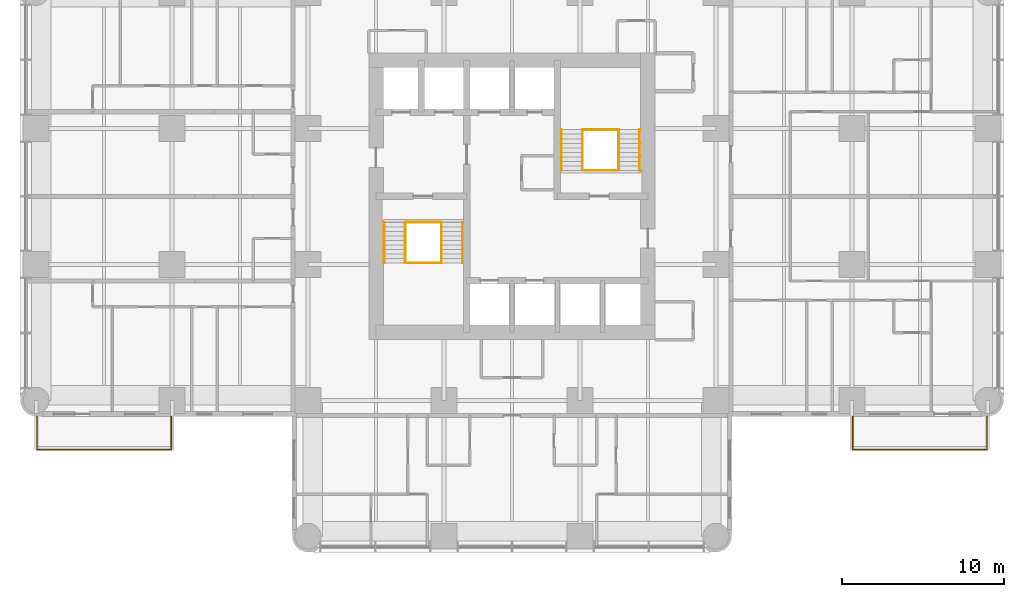
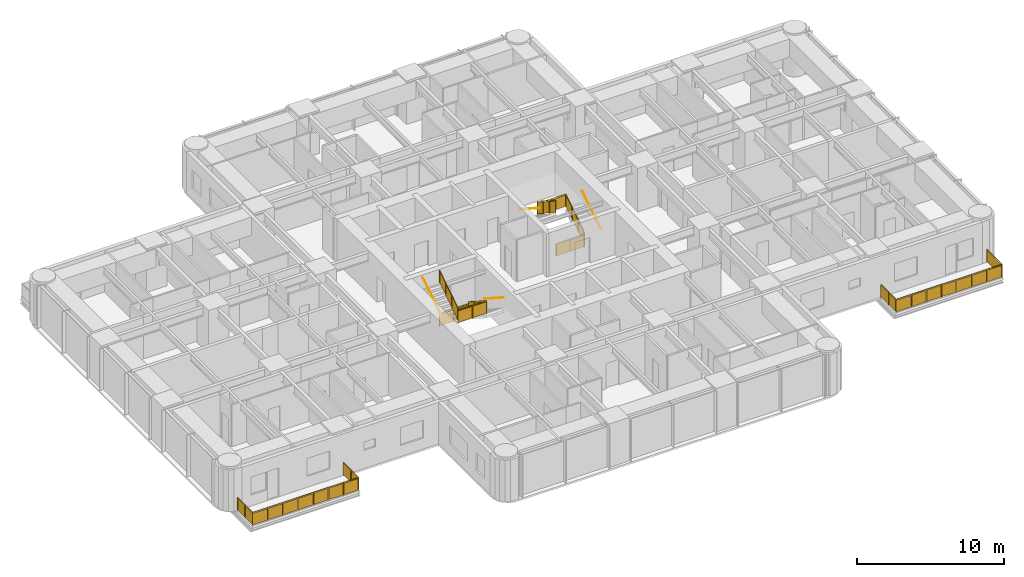
# One storey, part 13 of 14: 14 railings.
"""IFC4 building model written with IfcOpenShell, lengths in metres."""

from ifc_helpers import new_model, si_unit, direction, frame, origin, origin_2d, place, context, subcontext, project, spatial, polyline, circle, outline, extrude, material, constituent, constituent_set, type_object, element, save


model = new_model("IFC4")

# Units and contexts
model_context = context("Model", 3, precision=1e-05, world=origin(), true_north=direction((0.0, 1.0)))
body_context = subcontext(model_context, "Body", "Model", "MODEL_VIEW")
ifc_project = project(units=[si_unit("LENGTHUNIT", "METRE"), si_unit("AREAUNIT", "SQUARE_METRE"), si_unit("VOLUMEUNIT", "CUBIC_METRE"), si_unit("PLANEANGLEUNIT", "RADIAN"), si_unit("MASSUNIT", "GRAM", prefix="KILO")], contexts=[model_context])

# Site, building, storey
site_placement = place(None, origin())
site = spatial("IfcSite", under=ifc_project, at=site_placement, CompositionType="ELEMENT")
building_placement = place(site_placement, origin())
building = spatial("IfcBuilding", under=site, at=building_placement, Name="Torre Alcanfor", CompositionType="ELEMENT")
storey_placement = place(building_placement, frame((0.0, 0.0, 137.699951171875)))
storey = spatial("IfcBuildingStorey", under=building, at=storey_placement, Name="L35", CompositionType="ELEMENT", Elevation=137.699951171875)

# Railings
ifc_material_1 = material(Name="Laminated safety glass", Category="glass")
ifc_constituent_1 = constituent(ifc_material_1, Name="Infill")
ifc_material_2 = material(Name="Stainless steel ASTM A554 Grade MT 316L tube", Category="steel")
ifc_constituent_2 = constituent(ifc_material_2, Name="Posts and rail")
ifc_constituent_set = constituent_set(constituents=[ifc_constituent_1, ifc_constituent_2], Name="Balcony guard glass 1100")
railing_type_1 = type_object("IfcRailingType", Name="Balcony guard glass 1100", PredefinedType="BALUSTRADE", material=ifc_constituent_set)
railing_1_placement = place(storey_placement, frame((50.449951171875, 15.800048828125, 0.0)))
element("IfcRailing", 1, at=railing_1_placement, inside=storey, type_object=railing_type_1, Name="Balcony guard L35-E2", PredefinedType="BALUSTRADE", context=body_context, shape_type="SweptSolid", body=[
    extrude(circle(Radius=0.02392578125, at=origin_2d()), frame((0.0, 0.0, 1.076171875), z_axis=(0.0, -1.0, 0.0), x_axis=(1.0, 0.0, 0.0)), (0.0, 0.0, 1.0), 2.050048828125),
    extrude(circle(Radius=0.02392578125, at=origin_2d()), frame((0.0, -2.050048828125, 1.076171875), z_axis=(1.0, 0.0, 0.0), x_axis=(0.0, 1.0, 0.0)), (0.0, 0.0, 1.0), 8.300048828125),
    extrude(circle(Radius=0.02392578125, at=origin_2d()), frame((8.300048828125, -2.050048828125, 1.076171875), z_axis=(0.0, 1.0, 0.0), x_axis=(-1.0, 0.0, 0.0)), (0.0, 0.0, 1.0), 2.050048828125),
    extrude(circle(Radius=0.02099609375, at=origin_2d()), origin(), (0.0, 0.0, 1.0), 1.052001953125),
    extrude(circle(Radius=0.02099609375, at=origin_2d()), frame((0.0, -1.02490234375, 0.0)), (0.0, 0.0, 1.0), 1.052001953125),
    extrude(circle(Radius=0.02099609375, at=origin_2d()), frame((0.0, -2.050048828125, 0.0)), (0.0, 0.0, 1.0), 1.052001953125),
    extrude(circle(Radius=0.02099609375, at=origin_2d()), frame((1.185791015625, -2.050048828125, 0.0)), (0.0, 0.0, 1.0), 1.052001953125),
    extrude(circle(Radius=0.02099609375, at=origin_2d()), frame((2.371337890625, -2.050048828125, 0.0)), (0.0, 0.0, 1.0), 1.052001953125),
    extrude(circle(Radius=0.02099609375, at=origin_2d()), frame((3.55712890625, -2.050048828125, 0.0)), (0.0, 0.0, 1.0), 1.052001953125),
    extrude(circle(Radius=0.02099609375, at=origin_2d()), frame((4.742919921875, -2.050048828125, 0.0)), (0.0, 0.0, 1.0), 1.052001953125),
    extrude(circle(Radius=0.02099609375, at=origin_2d()), frame((5.9287109375, -2.050048828125, 0.0)), (0.0, 0.0, 1.0), 1.052001953125),
    extrude(circle(Radius=0.02099609375, at=origin_2d()), frame((7.1142578125, -2.050048828125, 0.0)), (0.0, 0.0, 1.0), 1.052001953125),
    extrude(circle(Radius=0.02099609375, at=origin_2d()), frame((8.300048828125, -2.050048828125, 0.0)), (0.0, 0.0, 1.0), 1.052001953125),
    extrude(circle(Radius=0.02099609375, at=origin_2d()), frame((8.300048828125, -1.02490234375, 0.0)), (0.0, 0.0, 1.0), 1.052001953125),
    extrude(circle(Radius=0.02099609375, at=origin_2d()), frame((8.300048828125, 0.0, 0.0)), (0.0, 0.0, 1.0), 1.052001953125),
    extrude(outline(polyline([(0.041015625, 0.050048828125), (0.984130859375, 0.050048828125), (0.984130859375, 1.001953125), (0.041015625, 1.001953125), (0.041015625, 0.050048828125)])), frame((0.005859375, 0.0, 0.0), z_axis=(-1.0, 0.0, 0.0), x_axis=(0.0, -1.0, 0.0)), (0.0, 0.0, 1.0), 0.011962890625),
    extrude(outline(polyline([(1.06591796875, 0.050048828125), (2.009033203125, 0.050048828125), (2.009033203125, 1.001953125), (1.06591796875, 1.001953125), (1.06591796875, 0.050048828125)])), frame((0.005859375, 0.0, 0.0), z_axis=(-1.0, 0.0, 0.0), x_axis=(0.0, -1.0, 0.0)), (0.0, 0.0, 1.0), 0.011962890625),
    extrude(outline(polyline([(0.041015625, 0.050048828125), (1.144775390625, 0.050048828125), (1.144775390625, 1.001953125), (0.041015625, 1.001953125), (0.041015625, 0.050048828125)])), frame((0.0, -2.0439453125, 0.0), z_axis=(0.0, -1.0, 0.0), x_axis=(1.0, 0.0, 0.0)), (0.0, 0.0, 1.0), 0.011962890625),
    extrude(outline(polyline([(1.226806640625, 0.050048828125), (2.330322265625, 0.050048828125), (2.330322265625, 1.001953125), (1.226806640625, 1.001953125), (1.226806640625, 0.050048828125)])), frame((0.0, -2.0439453125, 0.0), z_axis=(0.0, -1.0, 0.0), x_axis=(1.0, 0.0, 0.0)), (0.0, 0.0, 1.0), 0.011962890625),
    extrude(outline(polyline([(2.412353515625, 0.050048828125), (3.51611328125, 0.050048828125), (3.51611328125, 1.001953125), (2.412353515625, 1.001953125), (2.412353515625, 0.050048828125)])), frame((0.0, -2.0439453125, 0.0), z_axis=(0.0, -1.0, 0.0), x_axis=(1.0, 0.0, 0.0)), (0.0, 0.0, 1.0), 0.011962890625),
    extrude(outline(polyline([(3.59814453125, 0.050048828125), (4.701904296875, 0.050048828125), (4.701904296875, 1.001953125), (3.59814453125, 1.001953125), (3.59814453125, 0.050048828125)])), frame((0.0, -2.0439453125, 0.0), z_axis=(0.0, -1.0, 0.0), x_axis=(1.0, 0.0, 0.0)), (0.0, 0.0, 1.0), 0.011962890625),
    extrude(outline(polyline([(4.783935546875, 0.050048828125), (5.8876953125, 0.050048828125), (5.8876953125, 1.001953125), (4.783935546875, 1.001953125), (4.783935546875, 0.050048828125)])), frame((0.0, -2.0439453125, 0.0), z_axis=(0.0, -1.0, 0.0), x_axis=(1.0, 0.0, 0.0)), (0.0, 0.0, 1.0), 0.011962890625),
    extrude(outline(polyline([(5.9697265625, 0.050048828125), (7.0732421875, 0.050048828125), (7.0732421875, 1.001953125), (5.9697265625, 1.001953125), (5.9697265625, 0.050048828125)])), frame((0.0, -2.0439453125, 0.0), z_axis=(0.0, -1.0, 0.0), x_axis=(1.0, 0.0, 0.0)), (0.0, 0.0, 1.0), 0.011962890625),
    extrude(outline(polyline([(7.1552734375, 0.050048828125), (8.259033203125, 0.050048828125), (8.259033203125, 1.001953125), (7.1552734375, 1.001953125), (7.1552734375, 0.050048828125)])), frame((0.0, -2.0439453125, 0.0), z_axis=(0.0, -1.0, 0.0), x_axis=(1.0, 0.0, 0.0)), (0.0, 0.0, 1.0), 0.011962890625),
    extrude(outline(polyline([(0.041015625, 0.050048828125), (0.984130859375, 0.050048828125), (0.984130859375, 1.001953125), (0.041015625, 1.001953125), (0.041015625, 0.050048828125)])), frame((8.2939453125, -2.050048828125, 0.0), z_axis=(1.0, 0.0, 0.0), x_axis=(0.0, 1.0, 0.0)), (0.0, 0.0, 1.0), 0.011962890625),
    extrude(outline(polyline([(1.06591796875, 0.050048828125), (2.009033203125, 0.050048828125), (2.009033203125, 1.001953125), (1.06591796875, 1.001953125), (1.06591796875, 0.050048828125)])), frame((8.2939453125, -2.050048828125, 0.0), z_axis=(1.0, 0.0, 0.0), x_axis=(0.0, 1.0, 0.0)), (0.0, 0.0, 1.0), 0.011962890625),
])
railing_2_placement = place(storey_placement, frame((8.35009765625, 15.800048828125, 0.0)))
element("IfcRailing", 2, at=railing_2_placement, inside=storey, type_object=railing_type_1, Name="Balcony guard L35-W1", PredefinedType="BALUSTRADE", context=body_context, shape_type="SweptSolid", body=[
    extrude(circle(Radius=0.02392578125, at=origin_2d()), frame((0.0, 0.0, 1.076171875), z_axis=(0.0, -1.0, 0.0), x_axis=(1.0, 0.0, 0.0)), (0.0, 0.0, 1.0), 2.050048828125),
    extrude(circle(Radius=0.02392578125, at=origin_2d()), frame((0.0, -2.050048828125, 1.076171875), z_axis=(-1.0, 0.0, 0.0), x_axis=(0.0, -1.0, 0.0)), (0.0, 0.0, 1.0), 8.300048828125),
    extrude(circle(Radius=0.02392578125, at=origin_2d()), frame((-8.300048828125, -2.050048828125, 1.076171875), z_axis=(0.0, 1.0, 0.0), x_axis=(-1.0, 0.0, 0.0)), (0.0, 0.0, 1.0), 2.050048828125),
    extrude(circle(Radius=0.02099609375, at=origin_2d()), origin(), (0.0, 0.0, 1.0), 1.052001953125),
    extrude(circle(Radius=0.02099609375, at=origin_2d()), frame((0.0, -1.02490234375, 0.0)), (0.0, 0.0, 1.0), 1.052001953125),
    extrude(circle(Radius=0.02099609375, at=origin_2d()), frame((0.0, -2.050048828125, 0.0)), (0.0, 0.0, 1.0), 1.052001953125),
    extrude(circle(Radius=0.02099609375, at=origin_2d()), frame((-1.185791015625, -2.050048828125, 0.0)), (0.0, 0.0, 1.0), 1.052001953125),
    extrude(circle(Radius=0.02099609375, at=origin_2d()), frame((-2.371337890625, -2.050048828125, 0.0)), (0.0, 0.0, 1.0), 1.052001953125),
    extrude(circle(Radius=0.02099609375, at=origin_2d()), frame((-3.55712890625, -2.050048828125, 0.0)), (0.0, 0.0, 1.0), 1.052001953125),
    extrude(circle(Radius=0.02099609375, at=origin_2d()), frame((-4.742919921875, -2.050048828125, 0.0)), (0.0, 0.0, 1.0), 1.052001953125),
    extrude(circle(Radius=0.02099609375, at=origin_2d()), frame((-5.9287109375, -2.050048828125, 0.0)), (0.0, 0.0, 1.0), 1.052001953125),
    extrude(circle(Radius=0.02099609375, at=origin_2d()), frame((-7.1142578125, -2.050048828125, 0.0)), (0.0, 0.0, 1.0), 1.052001953125),
    extrude(circle(Radius=0.02099609375, at=origin_2d()), frame((-8.300048828125, -2.050048828125, 0.0)), (0.0, 0.0, 1.0), 1.052001953125),
    extrude(circle(Radius=0.02099609375, at=origin_2d()), frame((-8.300048828125, -1.02490234375, 0.0)), (0.0, 0.0, 1.0), 1.052001953125),
    extrude(circle(Radius=0.02099609375, at=origin_2d()), frame((-8.300048828125, 0.0, 0.0)), (0.0, 0.0, 1.0), 1.052001953125),
    extrude(outline(polyline([(0.041015625, 0.050048828125), (0.984130859375, 0.050048828125), (0.984130859375, 1.001953125), (0.041015625, 1.001953125), (0.041015625, 0.050048828125)])), frame((0.005859375, 0.0, 0.0), z_axis=(-1.0, 0.0, 0.0), x_axis=(0.0, -1.0, 0.0)), (0.0, 0.0, 1.0), 0.011962890625),
    extrude(outline(polyline([(1.06591796875, 0.050048828125), (2.009033203125, 0.050048828125), (2.009033203125, 1.001953125), (1.06591796875, 1.001953125), (1.06591796875, 0.050048828125)])), frame((0.005859375, 0.0, 0.0), z_axis=(-1.0, 0.0, 0.0), x_axis=(0.0, -1.0, 0.0)), (0.0, 0.0, 1.0), 0.011962890625),
    extrude(outline(polyline([(0.041015625, 0.050048828125), (1.144775390625, 0.050048828125), (1.144775390625, 1.001953125), (0.041015625, 1.001953125), (0.041015625, 0.050048828125)])), frame((0.0, -2.05615234375, 0.0), z_axis=(0.0, 1.0, 0.0), x_axis=(-1.0, 0.0, 0.0)), (0.0, 0.0, 1.0), 0.011962890625),
    extrude(outline(polyline([(1.226806640625, 0.050048828125), (2.330322265625, 0.050048828125), (2.330322265625, 1.001953125), (1.226806640625, 1.001953125), (1.226806640625, 0.050048828125)])), frame((0.0, -2.05615234375, 0.0), z_axis=(0.0, 1.0, 0.0), x_axis=(-1.0, 0.0, 0.0)), (0.0, 0.0, 1.0), 0.011962890625),
    extrude(outline(polyline([(2.412353515625, 0.050048828125), (3.51611328125, 0.050048828125), (3.51611328125, 1.001953125), (2.412353515625, 1.001953125), (2.412353515625, 0.050048828125)])), frame((0.0, -2.05615234375, 0.0), z_axis=(0.0, 1.0, 0.0), x_axis=(-1.0, 0.0, 0.0)), (0.0, 0.0, 1.0), 0.011962890625),
    extrude(outline(polyline([(3.59814453125, 0.050048828125), (4.701904296875, 0.050048828125), (4.701904296875, 1.001953125), (3.59814453125, 1.001953125), (3.59814453125, 0.050048828125)])), frame((0.0, -2.05615234375, 0.0), z_axis=(0.0, 1.0, 0.0), x_axis=(-1.0, 0.0, 0.0)), (0.0, 0.0, 1.0), 0.011962890625),
    extrude(outline(polyline([(4.783935546875, 0.050048828125), (5.8876953125, 0.050048828125), (5.8876953125, 1.001953125), (4.783935546875, 1.001953125), (4.783935546875, 0.050048828125)])), frame((0.0, -2.05615234375, 0.0), z_axis=(0.0, 1.0, 0.0), x_axis=(-1.0, 0.0, 0.0)), (0.0, 0.0, 1.0), 0.011962890625),
    extrude(outline(polyline([(5.9697265625, 0.050048828125), (7.0732421875, 0.050048828125), (7.0732421875, 1.001953125), (5.9697265625, 1.001953125), (5.9697265625, 0.050048828125)])), frame((0.0, -2.05615234375, 0.0), z_axis=(0.0, 1.0, 0.0), x_axis=(-1.0, 0.0, 0.0)), (0.0, 0.0, 1.0), 0.011962890625),
    extrude(outline(polyline([(7.1552734375, 0.050048828125), (8.259033203125, 0.050048828125), (8.259033203125, 1.001953125), (7.1552734375, 1.001953125), (7.1552734375, 0.050048828125)])), frame((0.0, -2.05615234375, 0.0), z_axis=(0.0, 1.0, 0.0), x_axis=(-1.0, 0.0, 0.0)), (0.0, 0.0, 1.0), 0.011962890625),
    extrude(outline(polyline([(0.041015625, 0.050048828125), (0.984130859375, 0.050048828125), (0.984130859375, 1.001953125), (0.041015625, 1.001953125), (0.041015625, 0.050048828125)])), frame((-8.30615234375, -2.050048828125, 0.0), z_axis=(1.0, 0.0, 0.0), x_axis=(0.0, 1.0, 0.0)), (0.0, 0.0, 1.0), 0.011962890625),
    extrude(outline(polyline([(1.06591796875, 0.050048828125), (2.009033203125, 0.050048828125), (2.009033203125, 1.001953125), (1.06591796875, 1.001953125), (1.06591796875, 0.050048828125)])), frame((-8.30615234375, -2.050048828125, 0.0), z_axis=(1.0, 0.0, 0.0), x_axis=(0.0, 1.0, 0.0)), (0.0, 0.0, 1.0), 0.011962890625),
])
ifc_material_3 = material(Name="Steel ASTM A500 Grade C hollow sections", Category="steel")
railing_type_2 = type_object("IfcRailingType", Name="Stair guard and handrail 1100", PredefinedType="GUARDRAIL", material=ifc_material_3)
railing_3_placement = place(storey_placement, frame((25.050048828125, 27.800048828125, 0.179931640625)))
element("IfcRailing", 3, at=railing_3_placement, inside=storey, type_object=railing_type_2, Name="Stair guard S1 L35 flight 1", PredefinedType="GUARDRAIL", context=body_context, shape_type="SweptSolid", body=[
    extrude(circle(Radius=0.02392578125, at=origin_2d()), frame((0.0, 0.0, 1.076171875), z_axis=(0.0, -0.841162588446, 0.540782303519), x_axis=(1.0, 0.0, 0.0)), (0.0, 0.0, 1.0), 2.995849609375),
    extrude(circle(Radius=0.02099609375, at=origin_2d()), origin(), (0.0, 0.0, 1.0), 1.052001953125),
    extrude(circle(Radius=0.02099609375, at=origin_2d()), frame((0.0, -0.840087890625, 0.5400390625)), (0.0, 0.0, 1.0), 1.052001953125),
    extrude(circle(Radius=0.02099609375, at=origin_2d()), frame((0.0, -1.679931640625, 1.080078125)), (0.0, 0.0, 1.0), 1.052001953125),
    extrude(circle(Radius=0.02099609375, at=origin_2d()), frame((0.0, -2.52001953125, 1.6201171875)), (0.0, 0.0, 1.0), 1.052001953125),
    extrude(outline(polyline([(0.041015625, 0.076416015625), (0.799072265625, 0.563720703125), (0.799072265625, 1.515625), (0.041015625, 1.0283203125), (0.041015625, 0.076416015625)])), frame((0.005859375, 0.0, 0.0), z_axis=(-1.0, 0.0, 0.0), x_axis=(0.0, -1.0, 0.0)), (0.0, 0.0, 1.0), 0.011962890625),
    extrude(outline(polyline([(0.881103515625, 0.616455078125), (1.638916015625, 1.103759765625), (1.638916015625, 2.0556640625), (0.881103515625, 1.568359375), (0.881103515625, 0.616455078125)])), frame((0.005859375, 0.0, 0.0), z_axis=(-1.0, 0.0, 0.0), x_axis=(0.0, -1.0, 0.0)), (0.0, 0.0, 1.0), 0.011962890625),
    extrude(outline(polyline([(1.720947265625, 1.156494140625), (2.47900390625, 1.643798828125), (2.47900390625, 2.595703125), (1.720947265625, 2.1083984375), (1.720947265625, 1.156494140625)])), frame((0.005859375, 0.0, 0.0), z_axis=(-1.0, 0.0, 0.0), x_axis=(0.0, -1.0, 0.0)), (0.0, 0.0, 1.0), 0.011962890625),
])
railing_4_placement = place(storey_placement, frame((22.800048828125, 25.280029296875, 1.97998046875)))
element("IfcRailing", 4, at=railing_4_placement, inside=storey, type_object=railing_type_2, Name="Stair guard S1 L35 flight 2", PredefinedType="GUARDRAIL", context=body_context, shape_type="SweptSolid", body=[
    extrude(circle(Radius=0.02392578125, at=origin_2d()), frame((0.0, 0.0, 1.076171875), z_axis=(0.0, 0.841162588446, 0.540782303519), x_axis=(-1.0, 0.0, 0.0)), (0.0, 0.0, 1.0), 2.995849609375),
    extrude(circle(Radius=0.02099609375, at=origin_2d()), origin(), (0.0, 0.0, 1.0), 1.052001953125),
    extrude(circle(Radius=0.02099609375, at=origin_2d()), frame((0.0, 0.840087890625, 0.5400390625)), (0.0, 0.0, 1.0), 1.052001953125),
    extrude(circle(Radius=0.02099609375, at=origin_2d()), frame((0.0, 1.679931640625, 1.080078125)), (0.0, 0.0, 1.0), 1.052001953125),
    extrude(circle(Radius=0.02099609375, at=origin_2d()), frame((0.0, 2.52001953125, 1.6201171875)), (0.0, 0.0, 1.0), 1.052001953125),
    extrude(outline(polyline([(0.041015625, 0.076416015625), (0.799072265625, 0.563720703125), (0.799072265625, 1.515625), (0.041015625, 1.0283203125), (0.041015625, 0.076416015625)])), frame((-0.005859375, 0.0, 0.0), z_axis=(1.0, 0.0, 0.0), x_axis=(0.0, 1.0, 0.0)), (0.0, 0.0, 1.0), 0.011962890625),
    extrude(outline(polyline([(0.881103515625, 0.616455078125), (1.638916015625, 1.103759765625), (1.638916015625, 2.0556640625), (0.881103515625, 1.568359375), (0.881103515625, 0.616455078125)])), frame((-0.005859375, 0.0, 0.0), z_axis=(1.0, 0.0, 0.0), x_axis=(0.0, 1.0, 0.0)), (0.0, 0.0, 1.0), 0.011962890625),
    extrude(outline(polyline([(1.720947265625, 1.156494140625), (2.47900390625, 1.643798828125), (2.47900390625, 2.595703125), (1.720947265625, 2.1083984375), (1.720947265625, 1.156494140625)])), frame((-0.005859375, 0.0, 0.0), z_axis=(1.0, 0.0, 0.0), x_axis=(0.0, 1.0, 0.0)), (0.0, 0.0, 1.0), 0.011962890625),
])
for number, where, name in (
    (5, (22.800048828125, 27.800048828125, 0.0), "Stair well guard S1 L35 floor landing"),
    (6, (22.800048828125, 25.280029296875, 1.800048828125), "Stair well guard S1 L35 half landing"),
):
    element("IfcRailing", number, at=place(storey_placement, frame(where)), inside=storey, type_object=railing_type_2, Name=name, PredefinedType="GUARDRAIL", context=body_context, shape_type="SweptSolid", body=[
        extrude(circle(Radius=0.02392578125, at=origin_2d()), frame((0.0, 0.0, 1.076171875), z_axis=(1.0, 0.0, 0.0), x_axis=(0.0, 1.0, 0.0)), (0.0, 0.0, 1.0), 2.25),
        extrude(circle(Radius=0.02099609375, at=origin_2d()), origin(), (0.0, 0.0, 1.0), 1.052001953125),
        extrude(circle(Radius=0.02099609375, at=origin_2d()), frame((1.125, 0.0, 0.0)), (0.0, 0.0, 1.0), 1.052001953125),
        extrude(circle(Radius=0.02099609375, at=origin_2d()), frame((2.25, 0.0, 0.0)), (0.0, 0.0, 1.0), 1.052001953125),
        extrude(outline(polyline([(0.041015625, 0.050048828125), (1.083984375, 0.050048828125), (1.083984375, 1.001953125), (0.041015625, 1.001953125), (0.041015625, 0.050048828125)])), frame((0.0, 0.005859375, 0.0), z_axis=(0.0, -1.0, 0.0), x_axis=(1.0, 0.0, 0.0)), (0.0, 0.0, 1.0), 0.011962890625),
        extrude(outline(polyline([(1.166015625, 0.050048828125), (2.208984375, 0.050048828125), (2.208984375, 1.001953125), (1.166015625, 1.001953125), (1.166015625, 0.050048828125)])), frame((0.0, 0.005859375, 0.0), z_axis=(0.0, -1.0, 0.0), x_axis=(1.0, 0.0, 0.0)), (0.0, 0.0, 1.0), 0.011962890625),
    ])
railing_5_placement = place(storey_placement, frame((36.0, 31.0, 0.179931640625)))
element("IfcRailing", 7, at=railing_5_placement, inside=storey, type_object=railing_type_2, Name="Stair guard S2 L35 flight 1", PredefinedType="GUARDRAIL", context=body_context, shape_type="SweptSolid", body=[
    extrude(circle(Radius=0.02392578125, at=origin_2d()), frame((0.0, 0.0, 1.076171875), z_axis=(0.0, 0.841162588446, 0.540782303519), x_axis=(-1.0, 0.0, 0.0)), (0.0, 0.0, 1.0), 2.995849609375),
    extrude(circle(Radius=0.02099609375, at=origin_2d()), origin(), (0.0, 0.0, 1.0), 1.052001953125),
    extrude(circle(Radius=0.02099609375, at=origin_2d()), frame((0.0, 0.840087890625, 0.5400390625)), (0.0, 0.0, 1.0), 1.052001953125),
    extrude(circle(Radius=0.02099609375, at=origin_2d()), frame((0.0, 1.679931640625, 1.080078125)), (0.0, 0.0, 1.0), 1.052001953125),
    extrude(circle(Radius=0.02099609375, at=origin_2d()), frame((0.0, 2.52001953125, 1.6201171875)), (0.0, 0.0, 1.0), 1.052001953125),
    extrude(outline(polyline([(0.041015625, 0.076416015625), (0.799072265625, 0.563720703125), (0.799072265625, 1.515625), (0.041015625, 1.0283203125), (0.041015625, 0.076416015625)])), frame((-0.005859375, 0.0, 0.0), z_axis=(1.0, 0.0, 0.0), x_axis=(0.0, 1.0, 0.0)), (0.0, 0.0, 1.0), 0.011962890625),
    extrude(outline(polyline([(0.881103515625, 0.616455078125), (1.638916015625, 1.103759765625), (1.638916015625, 2.0556640625), (0.881103515625, 1.568359375), (0.881103515625, 0.616455078125)])), frame((-0.005859375, 0.0, 0.0), z_axis=(1.0, 0.0, 0.0), x_axis=(0.0, 1.0, 0.0)), (0.0, 0.0, 1.0), 0.011962890625),
    extrude(outline(polyline([(1.720947265625, 1.156494140625), (2.47900390625, 1.643798828125), (2.47900390625, 2.595703125), (1.720947265625, 2.1083984375), (1.720947265625, 1.156494140625)])), frame((-0.005859375, 0.0, 0.0), z_axis=(1.0, 0.0, 0.0), x_axis=(0.0, 1.0, 0.0)), (0.0, 0.0, 1.0), 0.011962890625),
])
railing_6_placement = place(storey_placement, frame((33.75, 33.52001953125, 1.97998046875)))
element("IfcRailing", 8, at=railing_6_placement, inside=storey, type_object=railing_type_2, Name="Stair guard S2 L35 flight 2", PredefinedType="GUARDRAIL", context=body_context, shape_type="SweptSolid", body=[
    extrude(circle(Radius=0.02392578125, at=origin_2d()), frame((0.0, 0.0, 1.076171875), z_axis=(0.0, -0.841162588446, 0.540782303519), x_axis=(1.0, 0.0, 0.0)), (0.0, 0.0, 1.0), 2.995849609375),
    extrude(circle(Radius=0.02099609375, at=origin_2d()), origin(), (0.0, 0.0, 1.0), 1.052001953125),
    extrude(circle(Radius=0.02099609375, at=origin_2d()), frame((0.0, -0.840087890625, 0.5400390625)), (0.0, 0.0, 1.0), 1.052001953125),
    extrude(circle(Radius=0.02099609375, at=origin_2d()), frame((0.0, -1.679931640625, 1.080078125)), (0.0, 0.0, 1.0), 1.052001953125),
    extrude(circle(Radius=0.02099609375, at=origin_2d()), frame((0.0, -2.52001953125, 1.6201171875)), (0.0, 0.0, 1.0), 1.052001953125),
    extrude(outline(polyline([(0.041015625, 0.076416015625), (0.799072265625, 0.563720703125), (0.799072265625, 1.515625), (0.041015625, 1.0283203125), (0.041015625, 0.076416015625)])), frame((0.005859375, 0.0, 0.0), z_axis=(-1.0, 0.0, 0.0), x_axis=(0.0, -1.0, 0.0)), (0.0, 0.0, 1.0), 0.011962890625),
    extrude(outline(polyline([(0.881103515625, 0.616455078125), (1.638916015625, 1.103759765625), (1.638916015625, 2.0556640625), (0.881103515625, 1.568359375), (0.881103515625, 0.616455078125)])), frame((0.005859375, 0.0, 0.0), z_axis=(-1.0, 0.0, 0.0), x_axis=(0.0, -1.0, 0.0)), (0.0, 0.0, 1.0), 0.011962890625),
    extrude(outline(polyline([(1.720947265625, 1.156494140625), (2.47900390625, 1.643798828125), (2.47900390625, 2.595703125), (1.720947265625, 2.1083984375), (1.720947265625, 1.156494140625)])), frame((0.005859375, 0.0, 0.0), z_axis=(-1.0, 0.0, 0.0), x_axis=(0.0, -1.0, 0.0)), (0.0, 0.0, 1.0), 0.011962890625),
])
for number, where, name in (
    (9, (33.75, 31.0, 0.0), "Stair well guard S2 L35 floor landing"),
    (10, (33.75, 33.52001953125, 1.800048828125), "Stair well guard S2 L35 half landing"),
):
    element("IfcRailing", number, at=place(storey_placement, frame(where)), inside=storey, type_object=railing_type_2, Name=name, PredefinedType="GUARDRAIL", context=body_context, shape_type="SweptSolid", body=[
        extrude(circle(Radius=0.02392578125, at=origin_2d()), frame((0.0, 0.0, 1.076171875), z_axis=(1.0, 0.0, 0.0), x_axis=(0.0, 1.0, 0.0)), (0.0, 0.0, 1.0), 2.25),
        extrude(circle(Radius=0.02099609375, at=origin_2d()), origin(), (0.0, 0.0, 1.0), 1.052001953125),
        extrude(circle(Radius=0.02099609375, at=origin_2d()), frame((1.125, 0.0, 0.0)), (0.0, 0.0, 1.0), 1.052001953125),
        extrude(circle(Radius=0.02099609375, at=origin_2d()), frame((2.25, 0.0, 0.0)), (0.0, 0.0, 1.0), 1.052001953125),
        extrude(outline(polyline([(0.041015625, 0.050048828125), (1.083984375, 0.050048828125), (1.083984375, 1.001953125), (0.041015625, 1.001953125), (0.041015625, 0.050048828125)])), frame((0.0, 0.005859375, 0.0), z_axis=(0.0, -1.0, 0.0), x_axis=(1.0, 0.0, 0.0)), (0.0, 0.0, 1.0), 0.011962890625),
        extrude(outline(polyline([(1.166015625, 0.050048828125), (2.208984375, 0.050048828125), (2.208984375, 1.001953125), (1.166015625, 1.001953125), (1.166015625, 0.050048828125)])), frame((0.0, 0.005859375, 0.0), z_axis=(0.0, -1.0, 0.0), x_axis=(1.0, 0.0, 0.0)), (0.0, 0.0, 1.0), 0.011962890625),
    ])
ifc_material_4 = material(Name="Steel ASTM A500 Grade C hollow sections", Category="steel")
railing_type_3 = type_object("IfcRailingType", Name="Stair wall handrail 900", PredefinedType="HANDRAIL", material=ifc_material_4)
railing_7_placement = place(storey_placement, frame((26.3349609375, 27.800048828125, 0.179931640625)))
element("IfcRailing", 11, at=railing_7_placement, inside=storey, type_object=railing_type_3, Name="Stair handrail S1 L35 flight 1", PredefinedType="HANDRAIL", context=body_context, shape_type="SweptSolid", body=[
    extrude(circle(Radius=0.02392578125, at=origin_2d()), frame((0.0, 0.0, 0.8759765625), z_axis=(0.0, -0.841162588446, 0.540782303519), x_axis=(1.0, 0.0, 0.0)), (0.0, 0.0, 1.0), 2.995849609375),
    extrude(circle(Radius=0.008056640625, at=origin_2d()), frame((0.0, 0.0, 0.8759765625), z_axis=(1.0, 0.0, 0.0), x_axis=(0.0, 0.0, 1.0)), (0.0, 0.0, 1.0), 0.06494140625),
    extrude(circle(Radius=0.008056640625, at=origin_2d()), frame((0.0, -0.840087890625, 1.416015625), z_axis=(1.0, 0.0, 0.0), x_axis=(0.0, 0.0, 1.0)), (0.0, 0.0, 1.0), 0.06494140625),
    extrude(circle(Radius=0.008056640625, at=origin_2d()), frame((0.0, -1.679931640625, 1.9560546875), z_axis=(1.0, 0.0, 0.0), x_axis=(0.0, 0.0, 1.0)), (0.0, 0.0, 1.0), 0.06494140625),
    extrude(circle(Radius=0.008056640625, at=origin_2d()), frame((0.0, -2.52001953125, 2.49609375), z_axis=(1.0, 0.0, 0.0), x_axis=(0.0, 0.0, 1.0)), (0.0, 0.0, 1.0), 0.06494140625),
])
railing_8_placement = place(storey_placement, frame((21.514892578125, 25.280029296875, 1.97998046875)))
element("IfcRailing", 12, at=railing_8_placement, inside=storey, type_object=railing_type_3, Name="Stair handrail S1 L35 flight 2", PredefinedType="HANDRAIL", context=body_context, shape_type="SweptSolid", body=[
    extrude(circle(Radius=0.02392578125, at=origin_2d()), frame((0.0, 0.0, 0.8759765625), z_axis=(0.0, 0.841162588446, 0.540782303519), x_axis=(-1.0, 0.0, 0.0)), (0.0, 0.0, 1.0), 2.995849609375),
    extrude(circle(Radius=0.008056640625, at=origin_2d()), frame((0.0, 0.0, 0.8759765625), z_axis=(-1.0, 0.0, 0.0), x_axis=(0.0, 0.0, 1.0)), (0.0, 0.0, 1.0), 0.06494140625),
    extrude(circle(Radius=0.008056640625, at=origin_2d()), frame((0.0, 0.840087890625, 1.416015625), z_axis=(-1.0, 0.0, 0.0), x_axis=(0.0, 0.0, 1.0)), (0.0, 0.0, 1.0), 0.06494140625),
    extrude(circle(Radius=0.008056640625, at=origin_2d()), frame((0.0, 1.679931640625, 1.9560546875), z_axis=(-1.0, 0.0, 0.0), x_axis=(0.0, 0.0, 1.0)), (0.0, 0.0, 1.0), 0.06494140625),
    extrude(circle(Radius=0.008056640625, at=origin_2d()), frame((0.0, 2.52001953125, 2.49609375), z_axis=(-1.0, 0.0, 0.0), x_axis=(0.0, 0.0, 1.0)), (0.0, 0.0, 1.0), 0.06494140625),
])
railing_9_placement = place(storey_placement, frame((37.284912109375, 31.0, 0.179931640625)))
element("IfcRailing", 13, at=railing_9_placement, inside=storey, type_object=railing_type_3, Name="Stair handrail S2 L35 flight 1", PredefinedType="HANDRAIL", context=body_context, shape_type="SweptSolid", body=[
    extrude(circle(Radius=0.02392578125, at=origin_2d()), frame((0.0, 0.0, 0.8759765625), z_axis=(0.0, 0.841162588446, 0.540782303519), x_axis=(-1.0, 0.0, 0.0)), (0.0, 0.0, 1.0), 2.995849609375),
    extrude(circle(Radius=0.008056640625, at=origin_2d()), frame((0.0, 0.0, 0.8759765625), z_axis=(1.0, 0.0, 0.0), x_axis=(0.0, 0.0, 1.0)), (0.0, 0.0, 1.0), 0.06494140625),
    extrude(circle(Radius=0.008056640625, at=origin_2d()), frame((0.0, 0.840087890625, 1.416015625), z_axis=(1.0, 0.0, 0.0), x_axis=(0.0, 0.0, 1.0)), (0.0, 0.0, 1.0), 0.06494140625),
    extrude(circle(Radius=0.008056640625, at=origin_2d()), frame((0.0, 1.679931640625, 1.9560546875), z_axis=(1.0, 0.0, 0.0), x_axis=(0.0, 0.0, 1.0)), (0.0, 0.0, 1.0), 0.06494140625),
    extrude(circle(Radius=0.008056640625, at=origin_2d()), frame((0.0, 2.52001953125, 2.49609375), z_axis=(1.0, 0.0, 0.0), x_axis=(0.0, 0.0, 1.0)), (0.0, 0.0, 1.0), 0.06494140625),
])
railing_10_placement = place(storey_placement, frame((32.465087890625, 33.52001953125, 1.97998046875)))
element("IfcRailing", 14, at=railing_10_placement, inside=storey, type_object=railing_type_3, Name="Stair handrail S2 L35 flight 2", PredefinedType="HANDRAIL", context=body_context, shape_type="SweptSolid", body=[
    extrude(circle(Radius=0.02392578125, at=origin_2d()), frame((0.0, 0.0, 0.8759765625), z_axis=(0.0, -0.841162588446, 0.540782303519), x_axis=(1.0, 0.0, 0.0)), (0.0, 0.0, 1.0), 2.995849609375),
    extrude(circle(Radius=0.008056640625, at=origin_2d()), frame((0.0, 0.0, 0.8759765625), z_axis=(-1.0, 0.0, 0.0), x_axis=(0.0, 0.0, 1.0)), (0.0, 0.0, 1.0), 0.06494140625),
    extrude(circle(Radius=0.008056640625, at=origin_2d()), frame((0.0, -0.840087890625, 1.416015625), z_axis=(-1.0, 0.0, 0.0), x_axis=(0.0, 0.0, 1.0)), (0.0, 0.0, 1.0), 0.06494140625),
    extrude(circle(Radius=0.008056640625, at=origin_2d()), frame((0.0, -1.679931640625, 1.9560546875), z_axis=(-1.0, 0.0, 0.0), x_axis=(0.0, 0.0, 1.0)), (0.0, 0.0, 1.0), 0.06494140625),
    extrude(circle(Radius=0.008056640625, at=origin_2d()), frame((0.0, -2.52001953125, 2.49609375), z_axis=(-1.0, 0.0, 0.0), x_axis=(0.0, 0.0, 1.0)), (0.0, 0.0, 1.0), 0.06494140625),
])

save(model, "model.ifc")
